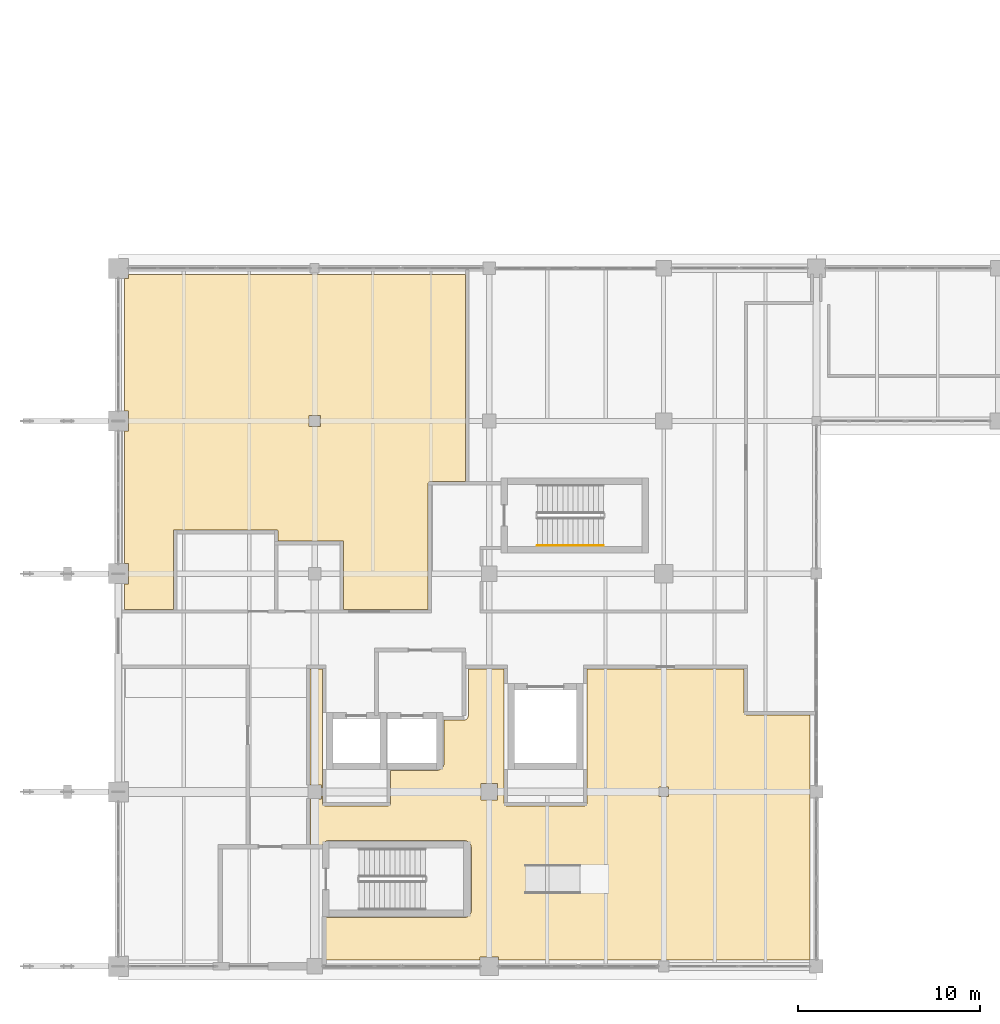
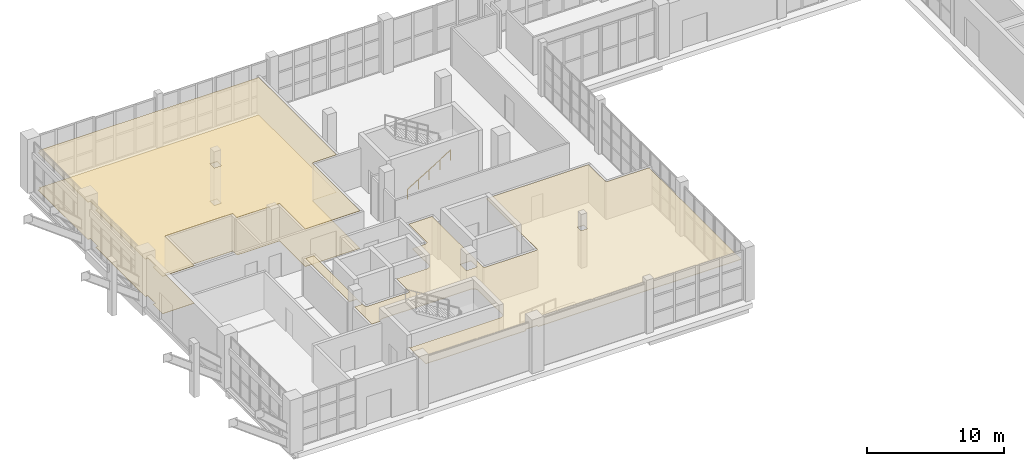
# One storey, part 108 of 121: 3 coverings, 1 railing.
"""IFC4 building model written with IfcOpenShell, lengths in metres."""

from ifc_helpers import new_model, si_unit, direction, frame, origin, origin_2d, place, context, subcontext, project, spatial, polyline, circle, outline, extrude, material, layer, layer_set, type_object, element, save


model = new_model("IFC4")

# Units and contexts
model_context = context("Model", 3, precision=1e-05, world=origin(), true_north=direction((0.0, 1.0)))
body_context = subcontext(model_context, "Body", "Model", "MODEL_VIEW")
ifc_project = project(units=[si_unit("LENGTHUNIT", "METRE"), si_unit("AREAUNIT", "SQUARE_METRE"), si_unit("VOLUMEUNIT", "CUBIC_METRE"), si_unit("PLANEANGLEUNIT", "RADIAN"), si_unit("MASSUNIT", "GRAM", prefix="KILO")], contexts=[model_context])

# Site, building, storey
site_placement = place(None, origin())
site = spatial("IfcSite", under=ifc_project, at=site_placement, CompositionType="ELEMENT")
building_placement = place(site_placement, origin())
building = spatial("IfcBuilding", under=site, at=building_placement, Name="Zereglee Splitstone Museum", CompositionType="ELEMENT")
storey_placement = place(building_placement, origin())
storey = spatial("IfcBuildingStorey", under=building, at=storey_placement, Name="L00", CompositionType="ELEMENT", Elevation=0.0)

# Coverings
ifc_material_1 = material(Name="Perforated acoustic gypsum board ceiling", Category="masonry")
ifc_layer_1 = layer(ifc_material_1, 0.044921875)
ifc_layer_set_1 = layer_set([ifc_layer_1], Name="Perforated acoustic gypsum board ceiling")
covering_type_1 = type_object("IfcCoveringType", Name="CLG-02", PredefinedType="CEILING", material=ifc_layer_set_1)
covering_1_placement = place(storey_placement, frame((0.0, 0.0, 3.3349609375)))
element("IfcCovering", 1, at=covering_1_placement, inside=storey, type_object=covering_type_1, Name="Acoustic Ceiling L00-001", PredefinedType="CEILING", context=body_context, shape_type="SweptSolid", body=[
    extrude(outline(polyline([(20.1298828125, 9.217041015625), (20.782958984375, 9.217041015625), (20.782958984375, 9.98291015625), (20.1298828125, 9.98291015625), (20.1298828125, 16.3701171875), (20.820068359375, 16.3701171875), (20.820068359375, 9.0), (20.820068359375, 8.9990234375), (20.82080078125, 8.9833984375), (20.821044921875, 8.9814453125), (20.8232421875, 8.9658203125), (20.82373046875, 8.9638671875), (20.827392578125, 8.94873046875), (20.828125, 8.94677734375), (20.833251953125, 8.931884765625), (20.833984375, 8.93017578125), (20.8408203125, 8.916015625), (20.841796875, 8.914306640625), (20.849853515625, 8.90087890625), (20.850830078125, 8.899169921875), (20.8603515625, 8.88671875), (20.861572265625, 8.885009765625), (20.8720703125, 8.873291015625), (20.873291015625, 8.8720703125), (20.885009765625, 8.861572265625), (20.88671875, 8.8603515625), (20.899169921875, 8.850830078125), (20.90087890625, 8.849853515625), (20.914306640625, 8.841796875), (20.916015625, 8.8408203125), (20.93017578125, 8.833984375), (20.931884765625, 8.833251953125), (20.94677734375, 8.828125), (20.94873046875, 8.827392578125), (20.9638671875, 8.82373046875), (20.9658203125, 8.8232421875), (20.9814453125, 8.821044921875), (20.9833984375, 8.82080078125), (20.9990234375, 8.820068359375), (21.0, 8.820068359375), (24.39990234375, 8.820068359375), (24.40087890625, 8.820068359375), (24.416748046875, 8.82080078125), (24.418701171875, 8.821044921875), (24.43408203125, 8.8232421875), (24.43603515625, 8.82373046875), (24.451416015625, 8.827392578125), (24.453125, 8.828125), (24.468017578125, 8.833251953125), (24.4697265625, 8.833984375), (24.48388671875, 8.8408203125), (24.485595703125, 8.841796875), (24.499267578125, 8.849853515625), (24.500732421875, 8.850830078125), (24.513427734375, 8.8603515625), (24.514892578125, 8.861572265625), (24.526611328125, 8.8720703125), (24.528076171875, 8.873291015625), (24.53857421875, 8.885009765625), (24.539794921875, 8.88671875), (24.549072265625, 8.899169921875), (24.55029296875, 8.90087890625), (24.558349609375, 8.914306640625), (24.55908203125, 8.916015625), (24.56591796875, 8.93017578125), (24.566650390625, 8.931884765625), (24.572021484375, 8.94677734375), (24.572509765625, 8.94873046875), (24.576416015625, 8.9638671875), (24.57666015625, 8.9658203125), (24.5791015625, 8.9814453125), (24.5791015625, 8.9833984375), (24.580078125, 8.9990234375), (24.580078125, 9.0), (24.580078125, 10.780029296875), (27.10009765625, 10.780029296875), (27.14111328125, 10.781982421875), (27.181884765625, 10.7880859375), (27.221923828125, 10.798095703125), (27.2607421875, 10.81201171875), (27.298095703125, 10.82958984375), (27.333251953125, 10.850830078125), (27.366455078125, 10.875244140625), (27.39697265625, 10.903076171875), (27.4248046875, 10.93359375), (27.44921875, 10.966796875), (27.470458984375, 11.001953125), (27.488037109375, 11.039306640625), (27.501953125, 11.078125), (27.511962890625, 11.1181640625), (27.51806640625, 11.15869140625), (27.52001953125, 11.199951171875), (27.52001953125, 13.550048828125), (28.60009765625, 13.550048828125), (28.62451171875, 13.55126953125), (28.648681640625, 13.5546875), (28.672607421875, 13.560791015625), (28.69580078125, 13.569091796875), (28.7177734375, 13.57958984375), (28.739013671875, 13.592041015625), (28.758544921875, 13.606689453125), (28.77685546875, 13.623291015625), (28.793212890625, 13.641357421875), (28.807861328125, 13.6611328125), (28.820556640625, 13.68212890625), (28.8310546875, 13.704345703125), (28.839111328125, 13.727294921875), (28.84521484375, 13.751220703125), (28.848876953125, 13.775390625), (28.85009765625, 13.800048828125), (28.85009765625, 16.3701171875), (30.820068359375, 16.3701171875), (30.820068359375, 9.0), (30.820068359375, 8.9990234375), (30.82080078125, 8.9833984375), (30.821044921875, 8.9814453125), (30.8232421875, 8.9658203125), (30.82373046875, 8.9638671875), (30.827392578125, 8.94873046875), (30.828125, 8.94677734375), (30.833251953125, 8.931884765625), (30.833984375, 8.93017578125), (30.8408203125, 8.916015625), (30.841796875, 8.914306640625), (30.849853515625, 8.90087890625), (30.850830078125, 8.899169921875), (30.8603515625, 8.88671875), (30.861572265625, 8.885009765625), (30.8720703125, 8.873291015625), (30.873291015625, 8.8720703125), (30.885009765625, 8.861572265625), (30.88671875, 8.8603515625), (30.899169921875, 8.850830078125), (30.90087890625, 8.849853515625), (30.914306640625, 8.841796875), (30.916015625, 8.8408203125), (30.93017578125, 8.833984375), (30.931884765625, 8.833251953125), (30.94677734375, 8.828125), (30.94873046875, 8.827392578125), (30.9638671875, 8.82373046875), (30.9658203125, 8.8232421875), (30.9814453125, 8.821044921875), (30.9833984375, 8.82080078125), (30.9990234375, 8.820068359375), (31.0, 8.820068359375), (35.199951171875, 8.820068359375), (35.200927734375, 8.820068359375), (35.216796875, 8.82080078125), (35.218505859375, 8.821044921875), (35.234130859375, 8.8232421875), (35.236083984375, 8.82373046875), (35.251220703125, 8.827392578125), (35.253173828125, 8.828125), (35.26806640625, 8.833251953125), (35.269775390625, 8.833984375), (35.283935546875, 8.8408203125), (35.28564453125, 8.841796875), (35.29931640625, 8.849853515625), (35.30078125, 8.850830078125), (35.3134765625, 8.8603515625), (35.31494140625, 8.861572265625), (35.32666015625, 8.8720703125), (35.327880859375, 8.873291015625), (35.33837890625, 8.885009765625), (35.339599609375, 8.88671875), (35.34912109375, 8.899169921875), (35.35009765625, 8.90087890625), (35.3583984375, 8.914306640625), (35.359130859375, 8.916015625), (35.365966796875, 8.93017578125), (35.36669921875, 8.931884765625), (35.371826171875, 8.94677734375), (35.37255859375, 8.94873046875), (35.376220703125, 8.9638671875), (35.376708984375, 8.9658203125), (35.37890625, 8.9814453125), (35.379150390625, 8.9833984375), (35.3798828125, 8.9990234375), (35.3798828125, 9.0), (35.3798828125, 16.3701171875), (44.02001953125, 16.3701171875), (44.02001953125, 14.0), (44.02001953125, 13.9990234375), (44.020751953125, 13.9833984375), (44.02099609375, 13.9814453125), (44.023193359375, 13.9658203125), (44.023681640625, 13.9638671875), (44.027587890625, 13.94873046875), (44.028076171875, 13.94677734375), (44.033203125, 13.931884765625), (44.0341796875, 13.93017578125), (44.040771484375, 13.916015625), (44.041748046875, 13.914306640625), (44.0498046875, 13.90087890625), (44.05078125, 13.899169921875), (44.060302734375, 13.88671875), (44.0615234375, 13.885009765625), (44.072021484375, 13.873291015625), (44.073486328125, 13.8720703125), (44.085205078125, 13.861572265625), (44.086669921875, 13.8603515625), (44.09912109375, 13.850830078125), (44.100830078125, 13.849853515625), (44.1142578125, 13.841796875), (44.115966796875, 13.8408203125), (44.130126953125, 13.833984375), (44.132080078125, 13.833251953125), (44.146728515625, 13.828125), (44.148681640625, 13.827392578125), (44.163818359375, 13.82373046875), (44.166015625, 13.8232421875), (44.181396484375, 13.821044921875), (44.183349609375, 13.82080078125), (44.198974609375, 13.820068359375), (44.199951171875, 13.820068359375), (47.659912109375, 13.820068359375), (47.659912109375, 9.9580078125), (47.64208984375, 9.9580078125), (47.64208984375, 9.241943359375), (47.659912109375, 9.241943359375), (47.659912109375, 0.383056640625), (47.616943359375, 0.383056640625), (47.616943359375, 0.340087890625), (30.508056640625, 0.340087890625), (30.508056640625, 0.508056640625), (29.491943359375, 0.508056640625), (29.491943359375, 0.340087890625), (21.02001953125, 0.340087890625), (21.02001953125, 2.72119140625), (21.039306640625, 2.7119140625), (21.078125, 2.697998046875), (21.1181640625, 2.68798828125), (21.15869140625, 2.681884765625), (21.199951171875, 2.679931640625), (28.60009765625, 2.679931640625), (28.64111328125, 2.681884765625), (28.681884765625, 2.68798828125), (28.721923828125, 2.697998046875), (28.7607421875, 2.7119140625), (28.798095703125, 2.7294921875), (28.833251953125, 2.750732421875), (28.866455078125, 2.775390625), (28.89697265625, 2.802978515625), (28.9248046875, 2.83349609375), (28.94921875, 2.86669921875), (28.970458984375, 2.902099609375), (28.988037109375, 2.939208984375), (29.001953125, 2.97802734375), (29.011962890625, 3.01806640625), (29.01806640625, 3.058837890625), (29.02001953125, 3.10009765625), (29.02001953125, 6.5), (29.01806640625, 6.541259765625), (29.011962890625, 6.581787109375), (29.001953125, 6.621826171875), (28.988037109375, 6.66064453125), (28.970458984375, 6.697998046875), (28.94921875, 6.7333984375), (28.9248046875, 6.766357421875), (28.89697265625, 6.797119140625), (28.866455078125, 6.82470703125), (28.833251953125, 6.84912109375), (28.798095703125, 6.870361328125), (28.7607421875, 6.887939453125), (28.721923828125, 6.90185546875), (28.681884765625, 6.911865234375), (28.64111328125, 6.91796875), (28.60009765625, 6.919921875), (21.199951171875, 6.919921875), (21.15869140625, 6.91796875), (21.1181640625, 6.911865234375), (21.078125, 6.90185546875), (21.039306640625, 6.887939453125), (21.001953125, 6.870361328125), (20.966796875, 6.84912109375), (20.93359375, 6.82470703125), (20.903076171875, 6.797119140625), (20.875244140625, 6.766357421875), (20.850830078125, 6.7333984375), (20.82958984375, 6.697998046875), (20.821044921875, 6.679931640625), (20.1298828125, 6.679931640625), (20.1298828125, 9.217041015625)]), holes=[polyline([(39.342041015625, 9.85791015625), (39.342041015625, 9.342041015625), (39.85791015625, 9.342041015625), (39.85791015625, 9.85791015625), (39.342041015625, 9.85791015625)]), polyline([(29.5419921875, 10.05810546875), (29.5419921875, 9.14208984375), (30.4580078125, 9.14208984375), (30.4580078125, 10.05810546875), (29.5419921875, 10.05810546875)])]), origin(), (0.0, 0.0, 1.0), 0.044921875),
])
ifc_material_2 = material(Name="Siberian larch acoustic timber ceiling", Category="wood")
ifc_layer_2 = layer(ifc_material_2, 0.06005859375)
ifc_layer_set_2 = layer_set([ifc_layer_2], Name="Siberian larch acoustic timber ceiling")
covering_type_2 = type_object("IfcCoveringType", Name="CLG-01", PredefinedType="CEILING", material=ifc_layer_set_2)
covering_2_placement = place(storey_placement, frame((0.0, 0.0, 3.320068359375)))
element("IfcCovering", 2, at=covering_2_placement, inside=storey, type_object=covering_type_2, Name="Acoustic Ceiling L00-003", PredefinedType="CEILING", context=body_context, shape_type="SweptSolid", body=[
    extrude(outline(polyline([(26.799072265625, 26.679931640625), (26.783203125, 26.67919921875), (26.781494140625, 26.678955078125), (26.765869140625, 26.6767578125), (26.763916015625, 26.67626953125), (26.748779296875, 26.672607421875), (26.746826171875, 26.671875), (26.73193359375, 26.666748046875), (26.730224609375, 26.666015625), (26.716064453125, 26.6591796875), (26.71435546875, 26.658203125), (26.70068359375, 26.650146484375), (26.69921875, 26.649169921875), (26.6865234375, 26.6396484375), (26.68505859375, 26.638427734375), (26.67333984375, 26.6279296875), (26.672119140625, 26.626708984375), (26.66162109375, 26.614990234375), (26.660400390625, 26.61328125), (26.65087890625, 26.600830078125), (26.64990234375, 26.59912109375), (26.6416015625, 26.585693359375), (26.640869140625, 26.583984375), (26.634033203125, 26.56982421875), (26.63330078125, 26.568115234375), (26.628173828125, 26.55322265625), (26.62744140625, 26.55126953125), (26.623779296875, 26.5361328125), (26.623291015625, 26.5341796875), (26.62109375, 26.5185546875), (26.620849609375, 26.5166015625), (26.6201171875, 26.5009765625), (26.6201171875, 26.5), (26.6201171875, 19.6298828125), (21.97998046875, 19.6298828125), (21.97998046875, 23.3701171875), (21.97998046875, 23.3720703125), (21.9794921875, 23.373779296875), (21.97900390625, 23.375732421875), (21.978515625, 23.377685546875), (21.9775390625, 23.37939453125), (21.9765625, 23.381103515625), (21.9755859375, 23.3828125), (21.97412109375, 23.384033203125), (21.97265625, 23.385498046875), (21.97119140625, 23.38671875), (21.969482421875, 23.3876953125), (21.9677734375, 23.388427734375), (21.9658203125, 23.38916015625), (21.9638671875, 23.3896484375), (21.9619140625, 23.389892578125), (21.9599609375, 23.389892578125), (18.3798828125, 23.389892578125), (18.3798828125, 23.969970703125), (18.3798828125, 23.971923828125), (18.379638671875, 23.973876953125), (18.379150390625, 23.975830078125), (18.37841796875, 23.977783203125), (18.377685546875, 23.9794921875), (18.376708984375, 23.981201171875), (18.37548828125, 23.982666015625), (18.3740234375, 23.984130859375), (18.372802734375, 23.985595703125), (18.37109375, 23.986572265625), (18.369384765625, 23.987548828125), (18.36767578125, 23.988525390625), (18.36572265625, 23.989013671875), (18.364013671875, 23.989501953125), (18.362060546875, 23.989990234375), (18.360107421875, 23.989990234375), (12.639892578125, 23.989990234375), (12.637939453125, 23.989990234375), (12.635986328125, 23.989501953125), (12.63427734375, 23.989013671875), (12.63232421875, 23.988525390625), (12.630615234375, 23.987548828125), (12.62890625, 23.986572265625), (12.627197265625, 23.985595703125), (12.6259765625, 23.984130859375), (12.62451171875, 23.982666015625), (12.623291015625, 23.981201171875), (12.622314453125, 23.9794921875), (12.62158203125, 23.977783203125), (12.620849609375, 23.975830078125), (12.620361328125, 23.973876953125), (12.6201171875, 23.971923828125), (12.6201171875, 23.969970703125), (12.6201171875, 19.6298828125), (9.93994140625, 19.6298828125), (9.93994140625, 21.0419921875), (10.157958984375, 21.0419921875), (10.157958984375, 22.157958984375), (9.93994140625, 22.157958984375), (9.93994140625, 29.44189453125), (10.157958984375, 29.44189453125), (10.157958984375, 30.55810546875), (9.93994140625, 30.55810546875), (9.93994140625, 37.842041015625), (10.157958984375, 37.842041015625), (10.157958984375, 38.06005859375), (28.699951171875, 38.06005859375), (28.699951171875, 26.679931640625), (26.800048828125, 26.679931640625), (26.799072265625, 26.679931640625)]), holes=[polyline([(20.7080078125, 30.30810546875), (20.092041015625, 30.30810546875), (20.092041015625, 29.69189453125), (20.7080078125, 29.69189453125), (20.7080078125, 30.30810546875)])]), origin(), (0.0, 0.0, 1.0), 0.059814453125),
])
ifc_material_3 = material(Name="Honed Gobi granite terrazzo flooring", Category="masonry")
ifc_layer_3 = layer(ifc_material_3, 0.030029296875)
ifc_layer_set_3 = layer_set([ifc_layer_3], Name="Honed Gobi granite terrazzo flooring")
covering_type_3 = type_object("IfcCoveringType", Name="FLR-01", PredefinedType="FLOORING", material=ifc_layer_set_3)
covering_3_placement = place(storey_placement, origin())
element("IfcCovering", 3, at=covering_3_placement, inside=storey, type_object=covering_type_3, Name="Terrazzo Gallery Flooring L00-001", PredefinedType="FLOORING", context=body_context, shape_type="SweptSolid", body=[
    extrude(outline(polyline([(26.799072265625, 26.679931640625), (26.783203125, 26.67919921875), (26.781494140625, 26.678955078125), (26.765869140625, 26.6767578125), (26.763916015625, 26.67626953125), (26.748779296875, 26.672607421875), (26.746826171875, 26.671875), (26.73193359375, 26.666748046875), (26.730224609375, 26.666015625), (26.716064453125, 26.6591796875), (26.71435546875, 26.658203125), (26.70068359375, 26.650146484375), (26.69921875, 26.649169921875), (26.6865234375, 26.6396484375), (26.68505859375, 26.638427734375), (26.67333984375, 26.6279296875), (26.672119140625, 26.626708984375), (26.66162109375, 26.614990234375), (26.660400390625, 26.61328125), (26.65087890625, 26.600830078125), (26.64990234375, 26.59912109375), (26.6416015625, 26.585693359375), (26.640869140625, 26.583984375), (26.634033203125, 26.56982421875), (26.63330078125, 26.568115234375), (26.628173828125, 26.55322265625), (26.62744140625, 26.55126953125), (26.623779296875, 26.5361328125), (26.623291015625, 26.5341796875), (26.62109375, 26.5185546875), (26.620849609375, 26.5166015625), (26.6201171875, 26.5009765625), (26.6201171875, 26.5), (26.6201171875, 19.6298828125), (21.97998046875, 19.6298828125), (21.97998046875, 23.3701171875), (21.97998046875, 23.3720703125), (21.9794921875, 23.373779296875), (21.97900390625, 23.375732421875), (21.978515625, 23.377685546875), (21.9775390625, 23.37939453125), (21.9765625, 23.381103515625), (21.9755859375, 23.3828125), (21.97412109375, 23.384033203125), (21.97265625, 23.385498046875), (21.97119140625, 23.38671875), (21.969482421875, 23.3876953125), (21.9677734375, 23.388427734375), (21.9658203125, 23.38916015625), (21.9638671875, 23.3896484375), (21.9619140625, 23.389892578125), (21.9599609375, 23.389892578125), (18.3798828125, 23.389892578125), (18.3798828125, 23.969970703125), (18.3798828125, 23.971923828125), (18.379638671875, 23.973876953125), (18.379150390625, 23.975830078125), (18.37841796875, 23.977783203125), (18.377685546875, 23.9794921875), (18.376708984375, 23.981201171875), (18.37548828125, 23.982666015625), (18.3740234375, 23.984130859375), (18.372802734375, 23.985595703125), (18.37109375, 23.986572265625), (18.369384765625, 23.987548828125), (18.36767578125, 23.988525390625), (18.36572265625, 23.989013671875), (18.364013671875, 23.989501953125), (18.362060546875, 23.989990234375), (18.360107421875, 23.989990234375), (12.639892578125, 23.989990234375), (12.637939453125, 23.989990234375), (12.635986328125, 23.989501953125), (12.63427734375, 23.989013671875), (12.63232421875, 23.988525390625), (12.630615234375, 23.987548828125), (12.62890625, 23.986572265625), (12.627197265625, 23.985595703125), (12.6259765625, 23.984130859375), (12.62451171875, 23.982666015625), (12.623291015625, 23.981201171875), (12.622314453125, 23.9794921875), (12.62158203125, 23.977783203125), (12.620849609375, 23.975830078125), (12.620361328125, 23.973876953125), (12.6201171875, 23.971923828125), (12.6201171875, 23.969970703125), (12.6201171875, 19.6298828125), (9.93994140625, 19.6298828125), (9.93994140625, 21.0419921875), (10.157958984375, 21.0419921875), (10.157958984375, 22.157958984375), (9.93994140625, 22.157958984375), (9.93994140625, 29.44189453125), (10.157958984375, 29.44189453125), (10.157958984375, 30.55810546875), (9.93994140625, 30.55810546875), (9.93994140625, 37.842041015625), (10.157958984375, 37.842041015625), (10.157958984375, 38.06005859375), (28.699951171875, 38.06005859375), (28.699951171875, 26.679931640625), (26.800048828125, 26.679931640625), (26.799072265625, 26.679931640625)]), holes=[polyline([(20.7080078125, 30.30810546875), (20.092041015625, 30.30810546875), (20.092041015625, 29.69189453125), (20.7080078125, 29.69189453125), (20.7080078125, 30.30810546875)])]), origin(), (0.0, 0.0, 1.0), 0.030029296875),
])

# Railing
ifc_material_4 = material(Name="Architectural bronze tubular handrail", Category="steel")
railing_type = type_object("IfcRailingType", Name="HR-01", PredefinedType="HANDRAIL", material=ifc_material_4)
railing_placement = place(storey_placement, frame((32.64990234375, 23.14990234375, 0.17138671875)))
element("IfcRailing", 4, at=railing_placement, inside=storey, type_object=railing_type, Name="L00 ST-02 stair handrail 1", PredefinedType="HANDRAIL", context=body_context, shape_type="SweptSolid", body=[
    extrude(circle(Radius=0.02392578125, at=origin_2d()), frame((0.0, 0.0, 0.8759765625), z_axis=(0.852865859571, 0.0, 0.52213008492), x_axis=(0.0, 1.0, 0.0)), (0.0, 0.0, 1.0), 4.26806640625),
    extrude(circle(Radius=0.02099609375, at=origin_2d()), origin(), (0.0, 0.0, 1.0), 0.851806640625),
    extrude(circle(Radius=0.02099609375, at=origin_2d()), frame((0.91015625, 0.0, 0.55712890625)), (0.0, 0.0, 1.0), 0.851806640625),
    extrude(circle(Radius=0.02099609375, at=origin_2d()), frame((1.820068359375, 0.0, 1.1142578125)), (0.0, 0.0, 1.0), 0.851806640625),
    extrude(circle(Radius=0.02099609375, at=origin_2d()), frame((2.72998046875, 0.0, 1.67138671875)), (0.0, 0.0, 1.0), 0.851806640625),
    extrude(circle(Radius=0.02099609375, at=origin_2d()), frame((3.64013671875, 0.0, 2.228515625)), (0.0, 0.0, 1.0), 0.851806640625),
])

save(model, "model.ifc")
